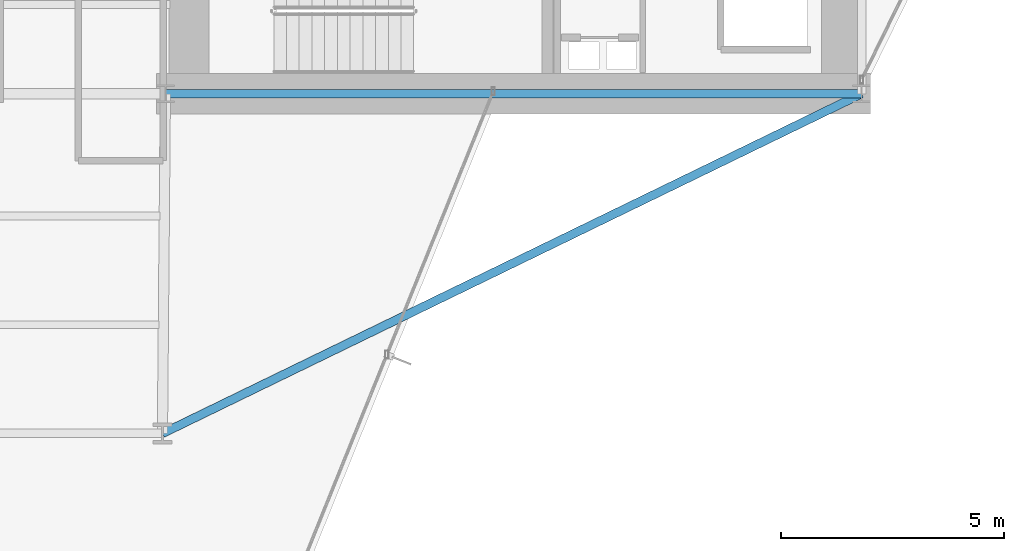
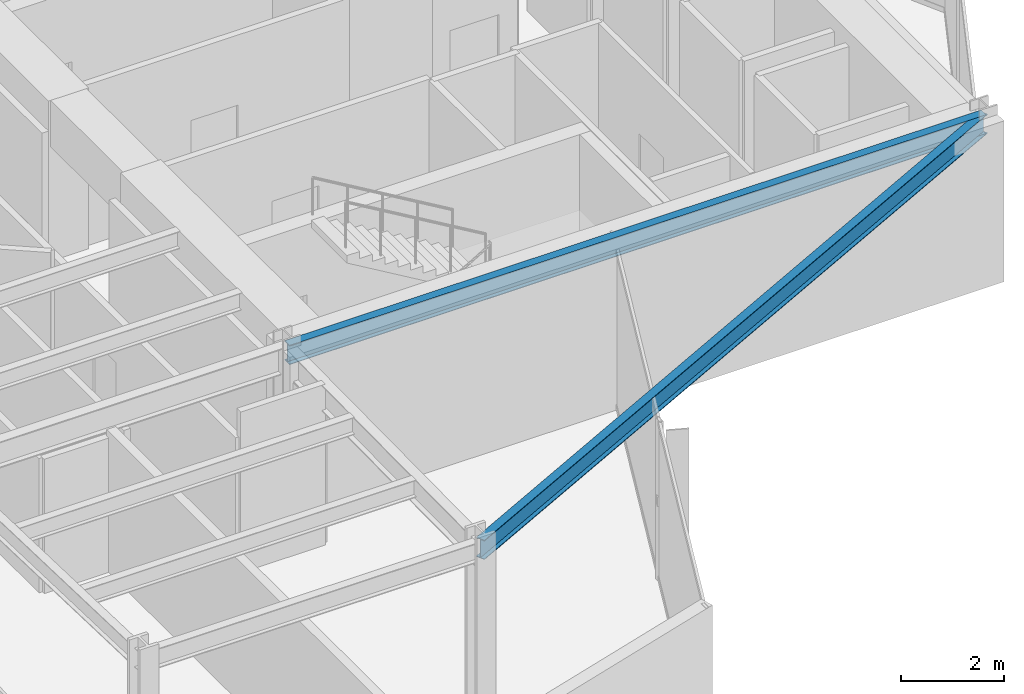
# One storey, part 15 of 29: 2 beams.
"""IFC4 building model written with IfcOpenShell, lengths in metres."""

import ifcopenshell
import ifcopenshell.guid

model = None  # the IFC model being written
_history = None  # IfcOwnerHistory: only IFC2X3 demands one
_inside = {}  # id of a spatial element -> (the spatial element, [elements in it])
_under = {}  # id of a project, library or spatial element -> (it, [spatial elements below it])
_declared = {}  # id of a project -> (the project, [libraries it declares])
_typed = {}  # id of a type object -> (the type object, [elements of that type])
_made_of = {}  # id of a material, layer set ... -> (it, [elements and type objects made of it])


def new_model(schema):
    """Start an empty IFC model of exactly this schema.

    Asked for "IFC4X3", IfcOpenShell would pick the latest addendum, in which some entities
    have other attributes; the version numbers below select the first issue.
    IFC2X3 requires an IfcOwnerHistory on every rooted entity: one is made here for all.
    """
    global model, _history
    if schema == "IFC4X3":
        model = ifcopenshell.file(schema_version=(4, 3, 0, 0))
    else:
        model = ifcopenshell.file(schema=schema)
    _inside.clear()
    _under.clear()
    _declared.clear()
    _typed.clear()
    _made_of.clear()
    _history = None
    if model.schema == "IFC2X3":
        org = make("IfcOrganization", Name="unknown")
        user = make(
            "IfcPersonAndOrganization",
            ThePerson=make("IfcPerson", FamilyName="unknown"),
            TheOrganization=org,
        )
        app = make(
            "IfcApplication",
            ApplicationDeveloper=org,
            Version="unknown",
            ApplicationFullName="unknown",
            ApplicationIdentifier="unknown",
        )
        _history = make(
            "IfcOwnerHistory",
            OwningUser=user,
            OwningApplication=app,
            ChangeAction="ADDED",
            CreationDate=0,
        )
    return model


def make(cls, **values):
    """One entity of the class cls with the attributes given. An attribute that is None is left unset."""
    return model.create_entity(
        cls, **{name: value for name, value in values.items() if value is not None}
    )


def rooted(cls, **values):
    """An entity with a GlobalId (a new one), such as an element, a storey or a relation."""
    return make(cls, GlobalId=ifcopenshell.guid.new(), OwnerHistory=_history, **values)


def si_unit(unit_type, name, prefix=None):
    """IfcSIUnit, for example si_unit("LENGTHUNIT", "METRE", prefix="MILLI")."""
    return make("IfcSIUnit", UnitType=unit_type, Prefix=prefix, Name=name)


def assignment(units):
    """IfcUnitAssignment: the units of a project."""
    return None if units is None else make("IfcUnitAssignment", Units=units)


def point(xyz):
    """IfcCartesianPoint."""
    return None if xyz is None else make("IfcCartesianPoint", Coordinates=xyz)


def direction(xyz):
    """IfcDirection."""
    return None if xyz is None else make("IfcDirection", DirectionRatios=xyz)


def frame(location, z_axis=None, x_axis=None):
    """IfcAxis2Placement3D, a coordinate frame: its origin and axes. An axis left out is left unset."""
    return make(
        "IfcAxis2Placement3D",
        Location=point(location),
        Axis=direction(z_axis),
        RefDirection=direction(x_axis),
    )


def frame_2d(location, x_axis=None):
    """IfcAxis2Placement2D, a coordinate frame in the plane: its origin and x axis."""
    return make(
        "IfcAxis2Placement2D", Location=point(location), RefDirection=direction(x_axis)
    )


def origin():
    """The frame at (0, 0, 0) with its axes left unset."""
    return frame((0.0, 0.0, 0.0))


def origin_2d():
    """The frame at (0, 0) in the plane with its x axis left unset."""
    return frame_2d((0.0, 0.0))


def place(relative_to, where):
    """IfcLocalPlacement: puts the frame where relative to a parent placement (None: the world)."""
    return make(
        "IfcLocalPlacement", PlacementRelTo=relative_to, RelativePlacement=where
    )


def context(
    kind, dimensions, precision=None, world=None, true_north=None, identifier=None
):
    """IfcGeometricRepresentationContext, for example the 3D "Model" context."""
    return make(
        "IfcGeometricRepresentationContext",
        ContextIdentifier=identifier,
        ContextType=kind,
        CoordinateSpaceDimension=dimensions,
        Precision=precision,
        WorldCoordinateSystem=world,
        TrueNorth=true_north,
    )


def subcontext(parent, identifier, kind, view, scale=None):
    """IfcGeometricRepresentationSubContext, for example "Body" below "Model"."""
    return make(
        "IfcGeometricRepresentationSubContext",
        ContextIdentifier=identifier,
        ContextType=kind,
        ParentContext=parent,
        TargetScale=scale,
        TargetView=view,
    )


def project(units=None, contexts=None):
    """IfcProject with its units and contexts."""
    return rooted(
        "IfcProject",
        Name="project",
        RepresentationContexts=contexts,
        UnitsInContext=assignment(units),
    )


def spatial(cls, under=None, at=None, **own):
    """A site, building, storey or space (cls), placed at a placement, below another one or the project."""
    s = rooted(cls, ObjectPlacement=at, **own)
    if under is not None:
        _under.setdefault(under.id(), (under, []))[1].append(s)
    return s


def profile(cls, at=None, kind="AREA", **sizes):
    """A parametric profile (cls). Its sizes go by their IFC names, for example OverallWidth=200.0."""
    return make(cls, ProfileType=kind, Position=at, **sizes)


def i_section(**sizes):
    """IfcIShapeProfileDef."""
    return profile("IfcIShapeProfileDef", **sizes)


def extrude(swept, where, along, depth):
    """IfcExtrudedAreaSolid: the profile swept, set in the frame where, extruded along a direction by depth."""
    return make(
        "IfcExtrudedAreaSolid",
        SweptArea=swept,
        Position=where,
        ExtrudedDirection=direction(along),
        Depth=depth,
    )


def shape(context_of_items, identifier, shape_type, items):
    """IfcShapeRepresentation: the items that make up one representation, for example the "Body"."""
    return make(
        "IfcShapeRepresentation",
        ContextOfItems=context_of_items,
        RepresentationIdentifier=identifier,
        RepresentationType=shape_type,
        Items=items,
    )


def material(Name=None, Category=None):
    """IfcMaterial."""
    return make("IfcMaterial", Name=Name, Category=Category)


def material_profile(
    of_material, cross_section, Name=None, Category=None, Priority=None
):
    """IfcMaterialProfile: a cross section and its material."""
    return make(
        "IfcMaterialProfile",
        Name=Name,
        Material=of_material,
        Profile=cross_section,
        Priority=Priority,
        Category=Category,
    )


def profile_set(profiles, Name=None, composite=None):
    """IfcMaterialProfileSet."""
    return make(
        "IfcMaterialProfileSet",
        Name=Name,
        MaterialProfiles=profiles,
        CompositeProfile=composite,
    )


def made_of(thing, what):
    """Note that an element or type object is made of a material, layer set ...; save() writes the relation."""
    if what is not None:
        _made_of.setdefault(what.id(), (what, []))[1].append(thing)
    return thing


def type_object(cls, material=None, **own):
    """A type object (cls), such as IfcWallType, which elements share."""
    return made_of(rooted(cls, **own), material)


def element(
    cls,
    number,
    at=None,
    inside=None,
    cuts=None,
    type_object=None,
    material=None,
    context=None,
    identifier="Body",
    shape_type=None,
    held_by="IfcProductDefinitionShape",
    body=None,
    shapes=None,
    **own,
):
    """One element of the class cls, such as IfcWall. Its Tag is "e" and its number.

    at: its placement. inside: the storey or other place that contains it. cuts: it is an
    opening in that element (IfcRelVoidsElement). A single representation is given by context,
    identifier, shape_type and body (its items); several are given by shapes. held_by: the class
    of the entity that holds the representations. save() writes the other relations.
    """
    e = rooted(cls, Tag="e%d" % number, ObjectPlacement=at, **own)
    if body is not None:
        shapes = [shape(context, identifier, shape_type, body)]
    if shapes is not None:
        e.Representation = make(held_by, Representations=shapes)
    if inside is not None:
        _inside.setdefault(inside.id(), (inside, []))[1].append(e)
    if cuts is not None:
        rooted(
            "IfcRelVoidsElement", RelatingBuildingElement=cuts, RelatedOpeningElement=e
        )
    if type_object is not None:
        _typed.setdefault(type_object.id(), (type_object, []))[1].append(e)
    return made_of(e, material)


def aggregate(whole, parts):
    """IfcRelAggregates: a whole, such as a stair, and the parts it consists of."""
    return rooted("IfcRelAggregates", RelatingObject=whole, RelatedObjects=parts)


def save(model, path):
    """Write the relations noted so far, then the file.

    IfcRelAggregates (storeys below a building ...), IfcRelContainedInSpatialStructure (elements
    in a storey), IfcRelDefinesByType, IfcRelAssociatesMaterial and IfcRelDeclares: one each for
    every whole, place, type object, material and project.
    """
    for whole, parts in _under.values():
        aggregate(whole, parts)
    for where, things in _inside.values():
        rooted(
            "IfcRelContainedInSpatialStructure",
            RelatedElements=things,
            RelatingStructure=where,
        )
    for kind, things in _typed.values():
        rooted("IfcRelDefinesByType", RelatedObjects=things, RelatingType=kind)
    for what, things in _made_of.values():
        rooted("IfcRelAssociatesMaterial", RelatedObjects=things, RelatingMaterial=what)
    for by, libraries in _declared.values():
        rooted("IfcRelDeclares", RelatingContext=by, RelatedDefinitions=libraries)
    model.write(path)


model = new_model("IFC4")

# Units and contexts
model_context = context("Model", 3, precision=1e-05, world=origin(), true_north=direction((0.0, 1.0)))
body_context = subcontext(model_context, "Body", "Model", "MODEL_VIEW")
ifc_project = project(units=[si_unit("LENGTHUNIT", "METRE"), si_unit("AREAUNIT", "SQUARE_METRE"), si_unit("VOLUMEUNIT", "CUBIC_METRE"), si_unit("PLANEANGLEUNIT", "RADIAN"), si_unit("MASSUNIT", "GRAM", prefix="KILO")], contexts=[model_context])

# Site, building, storey
site_placement = place(None, origin())
site = spatial("IfcSite", under=ifc_project, at=site_placement, CompositionType="ELEMENT")
building_placement = place(site_placement, origin())
building = spatial("IfcBuilding", under=site, at=building_placement, Name="Veymaron Broadcast Tower", CompositionType="ELEMENT")
storey_placement = place(building_placement, frame((0.0, 0.0, 62.10009765625)))
storey = spatial("IfcBuildingStorey", under=building, at=storey_placement, Name="L13", CompositionType="ELEMENT", Elevation=62.10009765625)

# Beams
ifc_material = material(Name="Structural steel ASTM A992 Gr 50", Category="steel")
ifc_material_profile = material_profile(ifc_material, i_section(OverallWidth=0.19091796875, OverallDepth=0.4599609375, WebThickness=0.010009765625, FlangeThickness=0.01611328125, at=origin_2d()), Name="W460X82")
ifc_profile_set = profile_set([ifc_material_profile], Name="Structural steel ASTM A992 Gr 50")
beam_type = type_object("IfcBeamType", Name="BM-SP1", PredefinedType="SPANDREL", material=ifc_profile_set)
beam_1_placement = place(storey_placement, frame((39.0, 16.0, 3.579833984375), z_axis=(1.0, 0.0, 0.0), x_axis=(0.0, 1.0, 0.0)))
element("IfcBeam", 1, at=beam_1_placement, inside=storey, type_object=beam_type, Name="L13 primary structural floor girder", PredefinedType="SPANDREL", context=body_context, shape_type="SweptSolid", body=[
    extrude(i_section(OverallWidth=0.19091796875, OverallDepth=0.4599609375, WebThickness=0.010009765625, FlangeThickness=0.01611328125, at=origin_2d()), origin(), (0.0, 0.0, 1.0), 15.60009765625),
])
beam_2_placement = place(storey_placement, frame((54.60009765625, 16.0, 3.579833984375), z_axis=(-0.899477147295, -0.436967803727, 0.0), x_axis=(0.436967803727, -0.899477147295, 0.0)))
element("IfcBeam", 2, at=beam_2_placement, inside=storey, type_object=beam_type, Name="L13 primary structural floor girder", PredefinedType="SPANDREL", context=body_context, shape_type="SweptSolid", body=[
    extrude(i_section(OverallWidth=0.19091796875, OverallDepth=0.4599609375, WebThickness=0.010009765625, FlangeThickness=0.01611328125, at=origin_2d()), origin(), (0.0, 0.0, 1.0), 17.415771484375),
])

save(model, "model.ifc")
